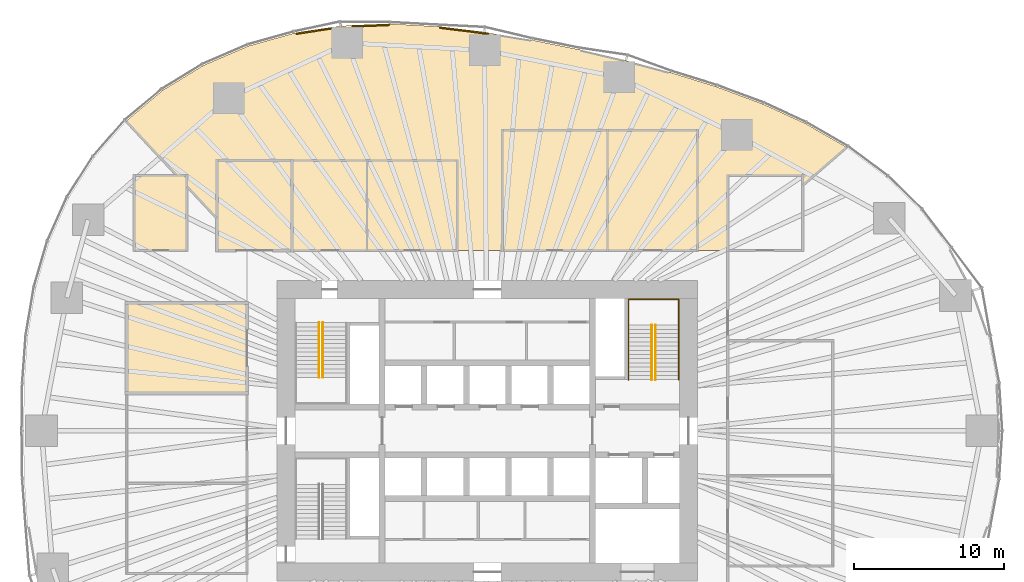
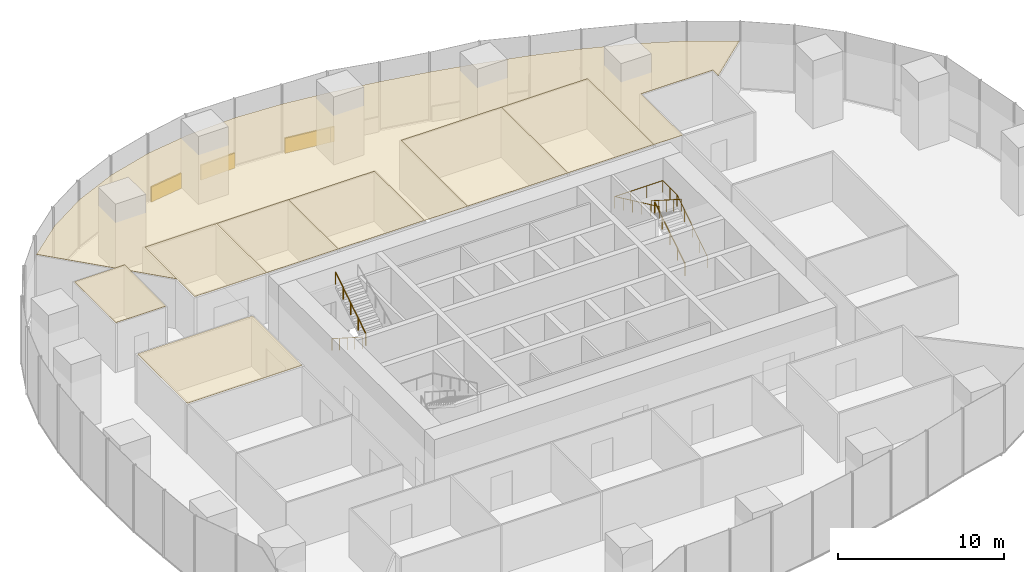
# One storey, part 19 of 20: 12 coverings, 5 railings.
"""IFC4 building model written with IfcOpenShell, lengths in metres."""

import ifcopenshell
import ifcopenshell.guid

model = None  # the IFC model being written
_history = None  # IfcOwnerHistory: only IFC2X3 demands one
_inside = {}  # id of a spatial element -> (the spatial element, [elements in it])
_under = {}  # id of a project, library or spatial element -> (it, [spatial elements below it])
_declared = {}  # id of a project -> (the project, [libraries it declares])
_typed = {}  # id of a type object -> (the type object, [elements of that type])
_made_of = {}  # id of a material, layer set ... -> (it, [elements and type objects made of it])


def new_model(schema):
    """Start an empty IFC model of exactly this schema.

    Asked for "IFC4X3", IfcOpenShell would pick the latest addendum, in which some entities
    have other attributes; the version numbers below select the first issue.
    IFC2X3 requires an IfcOwnerHistory on every rooted entity: one is made here for all.
    """
    global model, _history
    if schema == "IFC4X3":
        model = ifcopenshell.file(schema_version=(4, 3, 0, 0))
    else:
        model = ifcopenshell.file(schema=schema)
    _inside.clear()
    _under.clear()
    _declared.clear()
    _typed.clear()
    _made_of.clear()
    _history = None
    if model.schema == "IFC2X3":
        org = make("IfcOrganization", Name="unknown")
        user = make(
            "IfcPersonAndOrganization",
            ThePerson=make("IfcPerson", FamilyName="unknown"),
            TheOrganization=org,
        )
        app = make(
            "IfcApplication",
            ApplicationDeveloper=org,
            Version="unknown",
            ApplicationFullName="unknown",
            ApplicationIdentifier="unknown",
        )
        _history = make(
            "IfcOwnerHistory",
            OwningUser=user,
            OwningApplication=app,
            ChangeAction="ADDED",
            CreationDate=0,
        )
    return model


def make(cls, **values):
    """One entity of the class cls with the attributes given. An attribute that is None is left unset."""
    return model.create_entity(
        cls, **{name: value for name, value in values.items() if value is not None}
    )


def rooted(cls, **values):
    """An entity with a GlobalId (a new one), such as an element, a storey or a relation."""
    return make(cls, GlobalId=ifcopenshell.guid.new(), OwnerHistory=_history, **values)


def si_unit(unit_type, name, prefix=None):
    """IfcSIUnit, for example si_unit("LENGTHUNIT", "METRE", prefix="MILLI")."""
    return make("IfcSIUnit", UnitType=unit_type, Prefix=prefix, Name=name)


def assignment(units):
    """IfcUnitAssignment: the units of a project."""
    return None if units is None else make("IfcUnitAssignment", Units=units)


def point(xyz):
    """IfcCartesianPoint."""
    return None if xyz is None else make("IfcCartesianPoint", Coordinates=xyz)


def direction(xyz):
    """IfcDirection."""
    return None if xyz is None else make("IfcDirection", DirectionRatios=xyz)


def frame(location, z_axis=None, x_axis=None):
    """IfcAxis2Placement3D, a coordinate frame: its origin and axes. An axis left out is left unset."""
    return make(
        "IfcAxis2Placement3D",
        Location=point(location),
        Axis=direction(z_axis),
        RefDirection=direction(x_axis),
    )


def frame_2d(location, x_axis=None):
    """IfcAxis2Placement2D, a coordinate frame in the plane: its origin and x axis."""
    return make(
        "IfcAxis2Placement2D", Location=point(location), RefDirection=direction(x_axis)
    )


def origin():
    """The frame at (0, 0, 0) with its axes left unset."""
    return frame((0.0, 0.0, 0.0))


def origin_2d():
    """The frame at (0, 0) in the plane with its x axis left unset."""
    return frame_2d((0.0, 0.0))


def place(relative_to, where):
    """IfcLocalPlacement: puts the frame where relative to a parent placement (None: the world)."""
    return make(
        "IfcLocalPlacement", PlacementRelTo=relative_to, RelativePlacement=where
    )


def context(
    kind, dimensions, precision=None, world=None, true_north=None, identifier=None
):
    """IfcGeometricRepresentationContext, for example the 3D "Model" context."""
    return make(
        "IfcGeometricRepresentationContext",
        ContextIdentifier=identifier,
        ContextType=kind,
        CoordinateSpaceDimension=dimensions,
        Precision=precision,
        WorldCoordinateSystem=world,
        TrueNorth=true_north,
    )


def subcontext(parent, identifier, kind, view, scale=None):
    """IfcGeometricRepresentationSubContext, for example "Body" below "Model"."""
    return make(
        "IfcGeometricRepresentationSubContext",
        ContextIdentifier=identifier,
        ContextType=kind,
        ParentContext=parent,
        TargetScale=scale,
        TargetView=view,
    )


def project(units=None, contexts=None):
    """IfcProject with its units and contexts."""
    return rooted(
        "IfcProject",
        Name="project",
        RepresentationContexts=contexts,
        UnitsInContext=assignment(units),
    )


def spatial(cls, under=None, at=None, **own):
    """A site, building, storey or space (cls), placed at a placement, below another one or the project."""
    s = rooted(cls, ObjectPlacement=at, **own)
    if under is not None:
        _under.setdefault(under.id(), (under, []))[1].append(s)
    return s


def polyline(points):
    """IfcPolyline through the points."""
    return make("IfcPolyline", Points=[point(p) for p in points])


def profile(cls, at=None, kind="AREA", **sizes):
    """A parametric profile (cls). Its sizes go by their IFC names, for example OverallWidth=200.0."""
    return make(cls, ProfileType=kind, Position=at, **sizes)


def rectangle(**sizes):
    """IfcRectangleProfileDef."""
    return profile("IfcRectangleProfileDef", **sizes)


def circle(**sizes):
    """IfcCircleProfileDef."""
    return profile("IfcCircleProfileDef", **sizes)


def outline(outer, holes=None, kind="AREA"):
    """IfcArbitraryClosedProfileDef: a profile drawn as a closed curve; with holes, ...WithVoids."""
    if holes is None:
        return make("IfcArbitraryClosedProfileDef", ProfileType=kind, OuterCurve=outer)
    return make(
        "IfcArbitraryProfileDefWithVoids",
        ProfileType=kind,
        OuterCurve=outer,
        InnerCurves=holes,
    )


def extrude(swept, where, along, depth):
    """IfcExtrudedAreaSolid: the profile swept, set in the frame where, extruded along a direction by depth."""
    return make(
        "IfcExtrudedAreaSolid",
        SweptArea=swept,
        Position=where,
        ExtrudedDirection=direction(along),
        Depth=depth,
    )


def shape(context_of_items, identifier, shape_type, items):
    """IfcShapeRepresentation: the items that make up one representation, for example the "Body"."""
    return make(
        "IfcShapeRepresentation",
        ContextOfItems=context_of_items,
        RepresentationIdentifier=identifier,
        RepresentationType=shape_type,
        Items=items,
    )


def material(Name=None, Category=None):
    """IfcMaterial."""
    return make("IfcMaterial", Name=Name, Category=Category)


def layer(
    of_material, thickness, ventilated=None, Name=None, Category=None, Priority=None
):
    """IfcMaterialLayer: one layer of a wall or slab, of a material (None: an air gap)."""
    return make(
        "IfcMaterialLayer",
        Material=of_material,
        LayerThickness=thickness,
        IsVentilated=ventilated,
        Name=Name,
        Category=Category,
        Priority=Priority,
    )


def layer_set(layers, Name=None):
    """IfcMaterialLayerSet."""
    return make("IfcMaterialLayerSet", MaterialLayers=layers, LayerSetName=Name)


def made_of(thing, what):
    """Note that an element or type object is made of a material, layer set ...; save() writes the relation."""
    if what is not None:
        _made_of.setdefault(what.id(), (what, []))[1].append(thing)
    return thing


def type_object(cls, material=None, **own):
    """A type object (cls), such as IfcWallType, which elements share."""
    return made_of(rooted(cls, **own), material)


def element(
    cls,
    number,
    at=None,
    inside=None,
    cuts=None,
    type_object=None,
    material=None,
    context=None,
    identifier="Body",
    shape_type=None,
    held_by="IfcProductDefinitionShape",
    body=None,
    shapes=None,
    **own,
):
    """One element of the class cls, such as IfcWall. Its Tag is "e" and its number.

    at: its placement. inside: the storey or other place that contains it. cuts: it is an
    opening in that element (IfcRelVoidsElement). A single representation is given by context,
    identifier, shape_type and body (its items); several are given by shapes. held_by: the class
    of the entity that holds the representations. save() writes the other relations.
    """
    e = rooted(cls, Tag="e%d" % number, ObjectPlacement=at, **own)
    if body is not None:
        shapes = [shape(context, identifier, shape_type, body)]
    if shapes is not None:
        e.Representation = make(held_by, Representations=shapes)
    if inside is not None:
        _inside.setdefault(inside.id(), (inside, []))[1].append(e)
    if cuts is not None:
        rooted(
            "IfcRelVoidsElement", RelatingBuildingElement=cuts, RelatedOpeningElement=e
        )
    if type_object is not None:
        _typed.setdefault(type_object.id(), (type_object, []))[1].append(e)
    return made_of(e, material)


def aggregate(whole, parts):
    """IfcRelAggregates: a whole, such as a stair, and the parts it consists of."""
    return rooted("IfcRelAggregates", RelatingObject=whole, RelatedObjects=parts)


def save(model, path):
    """Write the relations noted so far, then the file.

    IfcRelAggregates (storeys below a building ...), IfcRelContainedInSpatialStructure (elements
    in a storey), IfcRelDefinesByType, IfcRelAssociatesMaterial and IfcRelDeclares: one each for
    every whole, place, type object, material and project.
    """
    for whole, parts in _under.values():
        aggregate(whole, parts)
    for where, things in _inside.values():
        rooted(
            "IfcRelContainedInSpatialStructure",
            RelatedElements=things,
            RelatingStructure=where,
        )
    for kind, things in _typed.values():
        rooted("IfcRelDefinesByType", RelatedObjects=things, RelatingType=kind)
    for what, things in _made_of.values():
        rooted("IfcRelAssociatesMaterial", RelatedObjects=things, RelatingMaterial=what)
    for by, libraries in _declared.values():
        rooted("IfcRelDeclares", RelatingContext=by, RelatedDefinitions=libraries)
    model.write(path)


model = new_model("IFC4")

# Units and contexts
model_context = context("Model", 3, precision=1e-05, world=origin(), true_north=direction((0.0, 1.0)))
body_context = subcontext(model_context, "Body", "Model", "MODEL_VIEW")
ifc_project = project(units=[si_unit("LENGTHUNIT", "METRE"), si_unit("AREAUNIT", "SQUARE_METRE"), si_unit("VOLUMEUNIT", "CUBIC_METRE"), si_unit("PLANEANGLEUNIT", "RADIAN"), si_unit("MASSUNIT", "GRAM", prefix="KILO")], contexts=[model_context])

# Site, building, storey
site_placement = place(None, origin())
site = spatial("IfcSite", under=ifc_project, at=site_placement, CompositionType="ELEMENT")
building_placement = place(site_placement, origin())
building = spatial("IfcBuilding", under=site, at=building_placement, Name="Ghaith Harvest Tower", CompositionType="ELEMENT")
storey_placement = place(building_placement, frame((0.0, 0.0, 40.0)))
storey = spatial("IfcBuildingStorey", under=building, at=storey_placement, Name="L08", CompositionType="ELEMENT", Elevation=40.0)

# Coverings
ifc_material_1 = material(Name="Mineral fibre ceiling tile", Category="gypsum")
ifc_layer_1 = layer(ifc_material_1, 0.02490234375)
ifc_layer_set_1 = layer_set([ifc_layer_1], Name="CEILING C2")
covering_type_1 = type_object("IfcCoveringType", Name="CEILING C2", PredefinedType="CEILING", material=ifc_layer_set_1)
covering_1_placement = place(storey_placement, frame((0.0, 0.0, 3.60009765625)))
element("IfcCovering", 1, at=covering_1_placement, inside=storey, type_object=covering_type_1, Name="Ceiling L08-08", PredefinedType="CEILING", context=body_context, shape_type="SweptSolid", body=[
    extrude(outline(polyline([(-24.0, 2.5), (-16.0, 2.5), (-16.0, 8.5), (-24.0, 8.5), (-24.0, 2.5)])), origin(), (0.0, 0.0, 1.0), 0.02490234375),
])
covering_2_placement = place(storey_placement, frame((0.0, 0.0, 3.60009765625)))
element("IfcCovering", 2, at=covering_2_placement, inside=storey, type_object=covering_type_1, Name="Ceiling L08-09", PredefinedType="CEILING", context=body_context, shape_type="SweptSolid", body=[
    extrude(outline(polyline([(-18.0, 12.0), (-13.0, 12.0), (-13.0, 18.0), (-18.0, 18.0), (-18.0, 12.0)])), origin(), (0.0, 0.0, 1.0), 0.02490234375),
])
covering_3_placement = place(storey_placement, frame((0.0, 0.0, 3.60009765625)))
element("IfcCovering", 3, at=covering_3_placement, inside=storey, type_object=covering_type_1, Name="Ceiling L08-10", PredefinedType="CEILING", context=body_context, shape_type="SweptSolid", body=[
    extrude(outline(polyline([(-13.0, 12.0), (-8.0, 12.0), (-8.0, 18.0), (-13.0, 18.0), (-13.0, 12.0)])), origin(), (0.0, 0.0, 1.0), 0.02490234375),
])
covering_4_placement = place(storey_placement, frame((0.0, 0.0, 3.60009765625)))
element("IfcCovering", 4, at=covering_4_placement, inside=storey, type_object=covering_type_1, Name="Ceiling L08-11", PredefinedType="CEILING", context=body_context, shape_type="SweptSolid", body=[
    extrude(outline(polyline([(-8.0, 12.0), (-2.0, 12.0), (-2.0, 18.0), (-8.0, 18.0), (-8.0, 12.0)])), origin(), (0.0, 0.0, 1.0), 0.02490234375),
])
covering_5_placement = place(storey_placement, frame((0.0, 0.0, 3.60009765625)))
element("IfcCovering", 5, at=covering_5_placement, inside=storey, type_object=covering_type_1, Name="Ceiling L08-12", PredefinedType="CEILING", context=body_context, shape_type="SweptSolid", body=[
    extrude(outline(polyline([(1.0, 12.0), (8.0, 12.0), (8.0, 20.0), (1.0, 20.0), (1.0, 12.0)])), origin(), (0.0, 0.0, 1.0), 0.02490234375),
])
covering_6_placement = place(storey_placement, frame((0.0, 0.0, 3.60009765625)))
element("IfcCovering", 6, at=covering_6_placement, inside=storey, type_object=covering_type_1, Name="Ceiling L08-13", PredefinedType="CEILING", context=body_context, shape_type="SweptSolid", body=[
    extrude(outline(polyline([(8.0, 12.0), (14.0, 12.0), (14.0, 20.0), (8.0, 20.0), (8.0, 12.0)])), origin(), (0.0, 0.0, 1.0), 0.02490234375),
])
covering_7_placement = place(storey_placement, frame((0.0, 0.0, 3.60009765625)))
element("IfcCovering", 7, at=covering_7_placement, inside=storey, type_object=covering_type_1, Name="Ceiling L08-17", PredefinedType="CEILING", context=body_context, shape_type="SweptSolid", body=[
    extrude(outline(polyline([(-23.5, 12.0), (-20.0, 12.0), (-20.0, 17.0), (-23.5, 17.0), (-23.5, 12.0)])), origin(), (0.0, 0.0, 1.0), 0.02490234375),
])
covering_8_placement = place(storey_placement, frame((0.0, 0.0, 3.60009765625)))
element("IfcCovering", 8, at=covering_8_placement, inside=storey, type_object=covering_type_1, Name="Ceiling L08-N1", PredefinedType="CEILING", context=body_context, shape_type="SweptSolid", body=[
    extrude(outline(polyline([(-21.59912109375, 22.671142578125), (-18.8935546875, 24.32763671875), (-15.907958984375, 25.614501953125), (-12.828125, 26.476806640625), (-9.733642578125, 26.949951171875), (-6.4375, 27.0849609375), (-3.24755859375, 26.91064453125), (-0.181396484375, 26.527099609375), (2.99560546875, 26.004150390625), (6.10888671875, 25.378662109375), (9.21533203125, 24.65087890625), (12.1796875, 23.857666015625), (15.22119140625, 22.916259765625), (18.34521484375, 21.7548828125), (21.149169921875, 20.469482421875), (23.92431640625, 18.873046875), (21.0, 16.336669921875), (21.0, 17.0), (16.0, 17.0), (16.0, 12.0), (14.0, 12.0), (14.0, 20.0), (1.0, 20.0), (1.0, 12.0), (-2.0, 12.0), (-2.0, 18.0), (-18.0, 18.0), (-18.0, 14.1416015625), (-20.0, 16.283203125), (-20.0, 17.0), (-20.669189453125, 17.0), (-24.04833984375, 20.618408203125), (-21.59912109375, 22.671142578125)])), origin(), (0.0, 0.0, 1.0), 0.02490234375),
])

# Railings
ifc_material_2 = material(Name="Steel, black powder-coated", Category="steel")
railing_type = type_object("IfcRailingType", Name="HANDRAIL HR1", PredefinedType="HANDRAIL", material=ifc_material_2)
railing_1_placement = place(storey_placement, frame((-11.199951171875, 7.199951171875, 0.178466796875)))
element("IfcRailing", 9, at=railing_1_placement, inside=storey, type_object=railing_type, Name="Handrail HR1 stair ST1 L08 flight 1 inner", PredefinedType="HANDRAIL", context=body_context, shape_type="SweptSolid", body=[
    extrude(circle(Radius=0.02392578125, at=origin_2d()), frame((0.0, 0.0, 0.8759765625), z_axis=(0.0, -0.843111507901, 0.53773877045), x_axis=(1.0, 0.0, 0.0)), (0.0, 0.0, 1.0), 4.317138671875),
    extrude(circle(Radius=0.02099609375, at=origin_2d()), origin(), (0.0, 0.0, 1.0), 0.851806640625),
    extrude(circle(Radius=0.02099609375, at=origin_2d()), frame((0.0, -0.909912109375, 0.580322265625)), (0.0, 0.0, 1.0), 0.851806640625),
    extrude(circle(Radius=0.02099609375, at=origin_2d()), frame((0.0, -1.81982421875, 1.16064453125)), (0.0, 0.0, 1.0), 0.851806640625),
    extrude(circle(Radius=0.02099609375, at=origin_2d()), frame((0.0, -2.72998046875, 1.7412109375)), (0.0, 0.0, 1.0), 0.851806640625),
    extrude(circle(Radius=0.02099609375, at=origin_2d()), frame((0.0, -3.639892578125, 2.321533203125)), (0.0, 0.0, 1.0), 0.851806640625),
])
railing_2_placement = place(storey_placement, frame((-10.949951171875, 3.56005859375, 2.678466796875)))
element("IfcRailing", 10, at=railing_2_placement, inside=storey, type_object=railing_type, Name="Handrail HR1 stair ST1 L08 flight 2 inner", PredefinedType="HANDRAIL", context=body_context, shape_type="SweptSolid", body=[
    extrude(circle(Radius=0.02392578125, at=origin_2d()), frame((0.0, 0.0, 0.8759765625), z_axis=(0.0, 0.843111507901, 0.53773877045), x_axis=(-1.0, 0.0, 0.0)), (0.0, 0.0, 1.0), 4.317138671875),
    extrude(circle(Radius=0.02099609375, at=origin_2d()), origin(), (0.0, 0.0, 1.0), 0.851806640625),
    extrude(circle(Radius=0.02099609375, at=origin_2d()), frame((0.0, 0.909912109375, 0.580322265625)), (0.0, 0.0, 1.0), 0.851806640625),
    extrude(circle(Radius=0.02099609375, at=origin_2d()), frame((0.0, 1.81982421875, 1.16064453125)), (0.0, 0.0, 1.0), 0.851806640625),
    extrude(circle(Radius=0.02099609375, at=origin_2d()), frame((0.0, 2.72998046875, 1.7412109375)), (0.0, 0.0, 1.0), 0.851806640625),
    extrude(circle(Radius=0.02099609375, at=origin_2d()), frame((0.0, 3.639892578125, 2.321533203125)), (0.0, 0.0, 1.0), 0.851806640625),
])
railing_3_placement = place(storey_placement, frame((11.199951171875, 3.39990234375, 0.178466796875)))
element("IfcRailing", 11, at=railing_3_placement, inside=storey, type_object=railing_type, Name="Handrail HR1 stair ST2 L08 flight 1 inner", PredefinedType="HANDRAIL", context=body_context, shape_type="SweptSolid", body=[
    extrude(circle(Radius=0.02392578125, at=origin_2d()), frame((0.0, 0.0, 0.8759765625), z_axis=(0.0, 0.843127859045, 0.537713132908), x_axis=(-1.0, 0.0, 0.0)), (0.0, 0.0, 1.0), 4.3173828125),
    extrude(circle(Radius=0.02099609375, at=origin_2d()), origin(), (0.0, 0.0, 1.0), 0.851806640625),
    extrude(circle(Radius=0.02099609375, at=origin_2d()), frame((0.0, 0.91015625, 0.580322265625)), (0.0, 0.0, 1.0), 0.851806640625),
    extrude(circle(Radius=0.02099609375, at=origin_2d()), frame((0.0, 1.820068359375, 1.16064453125)), (0.0, 0.0, 1.0), 0.851806640625),
    extrude(circle(Radius=0.02099609375, at=origin_2d()), frame((0.0, 2.72998046875, 1.7412109375)), (0.0, 0.0, 1.0), 0.851806640625),
    extrude(circle(Radius=0.02099609375, at=origin_2d()), frame((0.0, 3.64013671875, 2.321533203125)), (0.0, 0.0, 1.0), 0.851806640625),
])
railing_4_placement = place(storey_placement, frame((10.949951171875, 7.0400390625, 2.678466796875)))
element("IfcRailing", 12, at=railing_4_placement, inside=storey, type_object=railing_type, Name="Handrail HR1 stair ST2 L08 flight 2 inner", PredefinedType="HANDRAIL", context=body_context, shape_type="SweptSolid", body=[
    extrude(circle(Radius=0.02392578125, at=origin_2d()), frame((0.0, 0.0, 0.8759765625), z_axis=(0.0, -0.843127859045, 0.537713132908), x_axis=(1.0, 0.0, 0.0)), (0.0, 0.0, 1.0), 4.3173828125),
    extrude(circle(Radius=0.02099609375, at=origin_2d()), origin(), (0.0, 0.0, 1.0), 0.851806640625),
    extrude(circle(Radius=0.02099609375, at=origin_2d()), frame((0.0, -0.91015625, 0.580322265625)), (0.0, 0.0, 1.0), 0.851806640625),
    extrude(circle(Radius=0.02099609375, at=origin_2d()), frame((0.0, -1.820068359375, 1.16064453125)), (0.0, 0.0, 1.0), 0.851806640625),
    extrude(circle(Radius=0.02099609375, at=origin_2d()), frame((0.0, -2.72998046875, 1.7412109375)), (0.0, 0.0, 1.0), 0.851806640625),
    extrude(circle(Radius=0.02099609375, at=origin_2d()), frame((0.0, -3.64013671875, 2.321533203125)), (0.0, 0.0, 1.0), 0.851806640625),
])
railing_5_placement = place(storey_placement, frame((12.75, 3.39990234375, 0.178466796875)))
element("IfcRailing", 13, at=railing_5_placement, inside=storey, type_object=railing_type, Name="Handrail HR1 stair ST2 L08 wall side", PredefinedType="HANDRAIL", context=body_context, shape_type="SweptSolid", body=[
    extrude(circle(Radius=0.02392578125, at=origin_2d()), frame((0.0, 0.0, 0.8759765625), z_axis=(0.0, 0.843127859045, 0.537713132908), x_axis=(-1.0, 0.0, 0.0)), (0.0, 0.0, 1.0), 4.3173828125),
    extrude(circle(Radius=0.02392578125, at=origin_2d()), frame((0.0, 3.64013671875, 3.197265625), z_axis=(0.0, 1.0, 0.0), x_axis=(-1.0, 0.0, 0.0)), (0.0, 0.0, 1.0), 1.7099609375),
    extrude(circle(Radius=0.02392578125, at=origin_2d()), frame((0.0, 5.35009765625, 3.197265625), z_axis=(-1.0, 0.0, 0.0), x_axis=(0.0, -1.0, 0.0)), (0.0, 0.0, 1.0), 3.35009765625),
    extrude(circle(Radius=0.02392578125, at=origin_2d()), frame((-3.35009765625, 5.35009765625, 3.197265625), z_axis=(0.0, -0.905969675553, 0.423342588193), x_axis=(1.0, 0.0, 0.0)), (0.0, 0.0, 1.0), 5.9052734375),
    extrude(circle(Radius=0.02099609375, at=origin_2d()), origin(), (0.0, 0.0, 1.0), 0.851806640625),
    extrude(circle(Radius=0.02099609375, at=origin_2d()), frame((0.0, 0.91015625, 0.580322265625)), (0.0, 0.0, 1.0), 0.851806640625),
    extrude(circle(Radius=0.02099609375, at=origin_2d()), frame((0.0, 1.820068359375, 1.16064453125)), (0.0, 0.0, 1.0), 0.851806640625),
    extrude(circle(Radius=0.02099609375, at=origin_2d()), frame((0.0, 2.72998046875, 1.7412109375)), (0.0, 0.0, 1.0), 0.851806640625),
    extrude(circle(Radius=0.02099609375, at=origin_2d()), frame((0.0, 3.64013671875, 2.321533203125)), (0.0, 0.0, 1.0), 0.851806640625),
    extrude(circle(Radius=0.02099609375, at=origin_2d()), frame((0.0, 4.4951171875, 2.321533203125)), (0.0, 0.0, 1.0), 0.851806640625),
    extrude(circle(Radius=0.02099609375, at=origin_2d()), frame((0.0, 5.35009765625, 2.321533203125)), (0.0, 0.0, 1.0), 0.851806640625),
    extrude(circle(Radius=0.02099609375, at=origin_2d()), frame((-1.11669921875, 5.35009765625, 2.321533203125)), (0.0, 0.0, 1.0), 0.851806640625),
    extrude(circle(Radius=0.02099609375, at=origin_2d()), frame((-2.2333984375, 5.35009765625, 2.321533203125)), (0.0, 0.0, 1.0), 0.851806640625),
    extrude(circle(Radius=0.02099609375, at=origin_2d()), frame((-3.35009765625, 5.35009765625, 2.321533203125)), (0.0, 0.0, 1.0), 0.851806640625),
    extrude(circle(Radius=0.02099609375, at=origin_2d()), frame((-3.35009765625, 4.280029296875, 2.821533203125)), (0.0, 0.0, 1.0), 0.851806640625),
    extrude(circle(Radius=0.02099609375, at=origin_2d()), frame((-3.35009765625, 3.2099609375, 3.321533203125)), (0.0, 0.0, 1.0), 0.851806640625),
    extrude(circle(Radius=0.02099609375, at=origin_2d()), frame((-3.35009765625, 2.14013671875, 3.821533203125)), (0.0, 0.0, 1.0), 0.851806640625),
    extrude(circle(Radius=0.02099609375, at=origin_2d()), frame((-3.35009765625, 1.070068359375, 4.321533203125)), (0.0, 0.0, 1.0), 0.851806640625),
    extrude(circle(Radius=0.02099609375, at=origin_2d()), frame((-3.35009765625, 0.0, 4.821533203125)), (0.0, 0.0, 1.0), 0.851806640625),
])

# Coverings
ifc_material_3 = material(Name="Insulated aluminium spandrel panel on steel framing", Category="steel")
ifc_layer_2 = layer(ifc_material_3, 0.10009765625)
ifc_layer_set_2 = layer_set([ifc_layer_2], Name="SLAB EDGE UPSTAND 1100x100")
covering_type_2 = type_object("IfcCoveringType", Name="SLAB EDGE UPSTAND 1100x100", PredefinedType="CLADDING", material=ifc_layer_set_2)
covering_9_placement = place(storey_placement, frame((-0.063720703125, 26.45703125, 0.0), z_axis=(0.0, 0.0, 1.0), x_axis=(-0.986716247541, 0.162453214305, 0.0)))
element("IfcCovering", 14, at=covering_9_placement, inside=storey, type_object=covering_type_2, Name="Slab edge upstand 3 bay 05 L08", PredefinedType="CLADDING", context=body_context, shape_type="SweptSolid", body=[
    extrude(rectangle(XDim=0.255126953125, YDim=0.10009765625, at=origin_2d()), origin(), (0.0, 0.0, 1.0), 1.10009765625),
])
covering_10_placement = place(storey_placement, frame((-1.671142578125, 26.6630859375, 0.0), z_axis=(0.0, 0.0, 1.0), x_axis=(-0.99226486887, 0.124138753038, 0.0)))
element("IfcCovering", 15, at=covering_10_placement, inside=storey, type_object=covering_type_2, Name="Slab edge upstand 1 bay 06 L08", PredefinedType="CLADDING", context=body_context, shape_type="SweptSolid", body=[
    extrude(rectangle(XDim=2.98974609375, YDim=0.10009765625, at=origin_2d()), origin(), (0.0, 0.0, 1.0), 1.10009765625),
])
covering_11_placement = place(storey_placement, frame((-7.75537109375, 26.98095703125, 0.0), z_axis=(0.0, 0.0, 1.0), x_axis=(-0.999160890982, -0.040957464901, 0.0)))
element("IfcCovering", 16, at=covering_11_placement, inside=storey, type_object=covering_type_2, Name="Slab edge upstand 3 bay 06 L08", PredefinedType="CLADDING", context=body_context, shape_type="SweptSolid", body=[
    extrude(rectangle(XDim=2.44189453125, YDim=0.10009765625, at=origin_2d()), origin(), (0.0, 0.0, 1.0), 1.10009765625),
])
covering_12_placement = place(storey_placement, frame((-11.5576171875, 26.62060546875, 0.0), z_axis=(0.0, 0.0, 1.0), x_axis=(-0.988517924816, -0.1511036476, 0.0)))
element("IfcCovering", 17, at=covering_12_placement, inside=storey, type_object=covering_type_2, Name="Slab edge upstand 1 bay 07 L08", PredefinedType="CLADDING", context=body_context, shape_type="SweptSolid", body=[
    extrude(rectangle(XDim=2.355224609375, YDim=0.10009765625, at=origin_2d()), origin(), (0.0, 0.0, 1.0), 1.10009765625),
])

save(model, "model.ifc")
